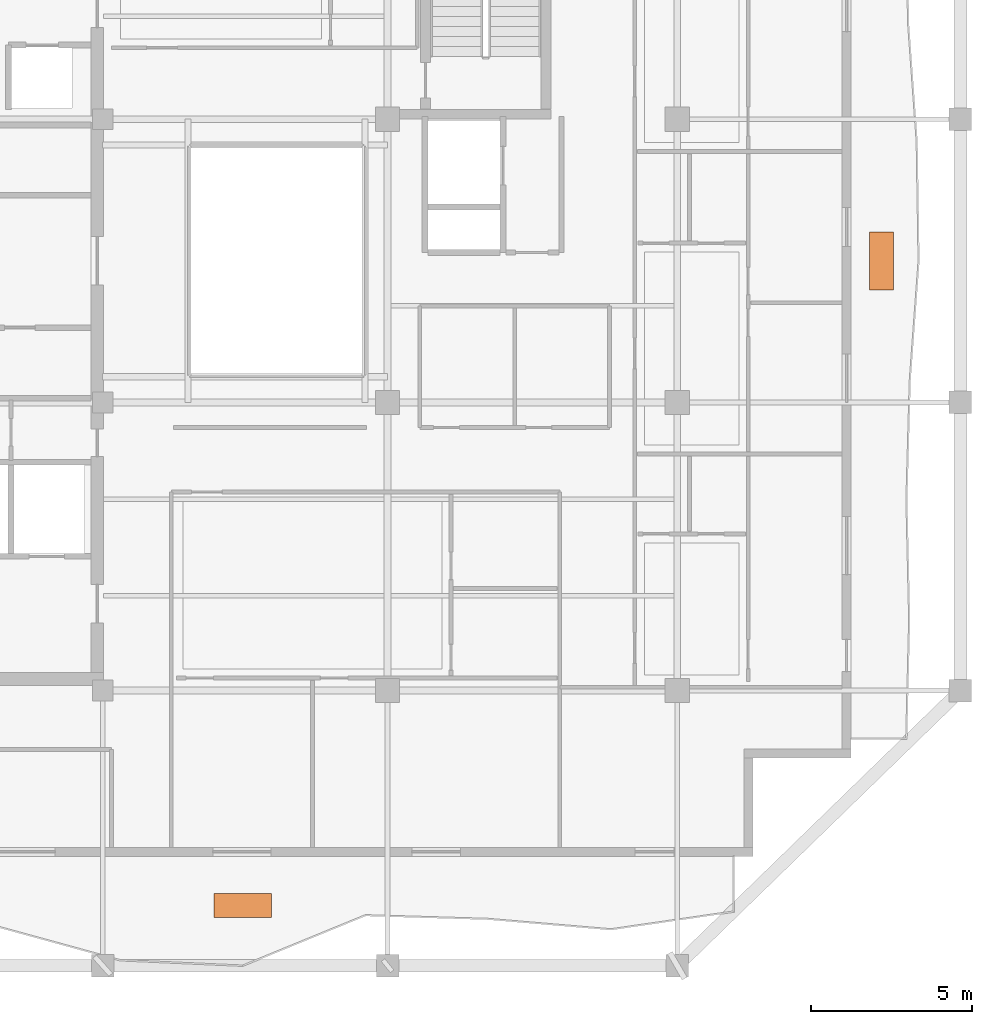
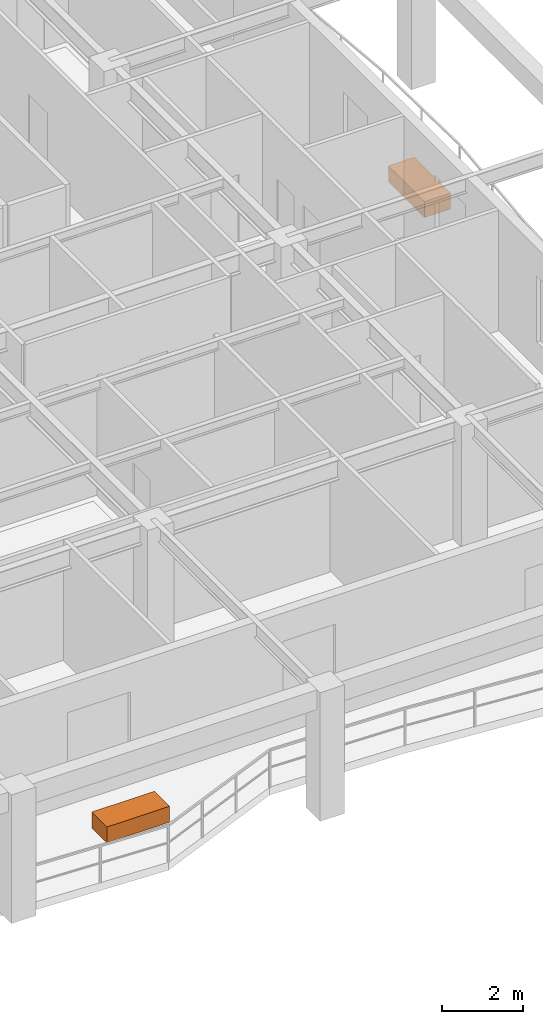
# One storey, part 10 of 10: 2 proxies.
"""IFC4 building model written with IfcOpenShell, lengths in metres."""

import ifcopenshell
import ifcopenshell.guid

model = None  # the IFC model being written
_history = None  # IfcOwnerHistory: only IFC2X3 demands one
_inside = {}  # id of a spatial element -> (the spatial element, [elements in it])
_under = {}  # id of a project, library or spatial element -> (it, [spatial elements below it])
_declared = {}  # id of a project -> (the project, [libraries it declares])
_typed = {}  # id of a type object -> (the type object, [elements of that type])
_made_of = {}  # id of a material, layer set ... -> (it, [elements and type objects made of it])


def new_model(schema):
    """Start an empty IFC model of exactly this schema.

    Asked for "IFC4X3", IfcOpenShell would pick the latest addendum, in which some entities
    have other attributes; the version numbers below select the first issue.
    IFC2X3 requires an IfcOwnerHistory on every rooted entity: one is made here for all.
    """
    global model, _history
    if schema == "IFC4X3":
        model = ifcopenshell.file(schema_version=(4, 3, 0, 0))
    else:
        model = ifcopenshell.file(schema=schema)
    _inside.clear()
    _under.clear()
    _declared.clear()
    _typed.clear()
    _made_of.clear()
    _history = None
    if model.schema == "IFC2X3":
        org = make("IfcOrganization", Name="unknown")
        user = make(
            "IfcPersonAndOrganization",
            ThePerson=make("IfcPerson", FamilyName="unknown"),
            TheOrganization=org,
        )
        app = make(
            "IfcApplication",
            ApplicationDeveloper=org,
            Version="unknown",
            ApplicationFullName="unknown",
            ApplicationIdentifier="unknown",
        )
        _history = make(
            "IfcOwnerHistory",
            OwningUser=user,
            OwningApplication=app,
            ChangeAction="ADDED",
            CreationDate=0,
        )
    return model


def make(cls, **values):
    """One entity of the class cls with the attributes given. An attribute that is None is left unset."""
    return model.create_entity(
        cls, **{name: value for name, value in values.items() if value is not None}
    )


def rooted(cls, **values):
    """An entity with a GlobalId (a new one), such as an element, a storey or a relation."""
    return make(cls, GlobalId=ifcopenshell.guid.new(), OwnerHistory=_history, **values)


def si_unit(unit_type, name, prefix=None):
    """IfcSIUnit, for example si_unit("LENGTHUNIT", "METRE", prefix="MILLI")."""
    return make("IfcSIUnit", UnitType=unit_type, Prefix=prefix, Name=name)


def assignment(units):
    """IfcUnitAssignment: the units of a project."""
    return None if units is None else make("IfcUnitAssignment", Units=units)


def point(xyz):
    """IfcCartesianPoint."""
    return None if xyz is None else make("IfcCartesianPoint", Coordinates=xyz)


def direction(xyz):
    """IfcDirection."""
    return None if xyz is None else make("IfcDirection", DirectionRatios=xyz)


def frame(location, z_axis=None, x_axis=None):
    """IfcAxis2Placement3D, a coordinate frame: its origin and axes. An axis left out is left unset."""
    return make(
        "IfcAxis2Placement3D",
        Location=point(location),
        Axis=direction(z_axis),
        RefDirection=direction(x_axis),
    )


def frame_2d(location, x_axis=None):
    """IfcAxis2Placement2D, a coordinate frame in the plane: its origin and x axis."""
    return make(
        "IfcAxis2Placement2D", Location=point(location), RefDirection=direction(x_axis)
    )


def origin():
    """The frame at (0, 0, 0) with its axes left unset."""
    return frame((0.0, 0.0, 0.0))


def origin_2d():
    """The frame at (0, 0) in the plane with its x axis left unset."""
    return frame_2d((0.0, 0.0))


def place(relative_to, where):
    """IfcLocalPlacement: puts the frame where relative to a parent placement (None: the world)."""
    return make(
        "IfcLocalPlacement", PlacementRelTo=relative_to, RelativePlacement=where
    )


def context(
    kind, dimensions, precision=None, world=None, true_north=None, identifier=None
):
    """IfcGeometricRepresentationContext, for example the 3D "Model" context."""
    return make(
        "IfcGeometricRepresentationContext",
        ContextIdentifier=identifier,
        ContextType=kind,
        CoordinateSpaceDimension=dimensions,
        Precision=precision,
        WorldCoordinateSystem=world,
        TrueNorth=true_north,
    )


def subcontext(parent, identifier, kind, view, scale=None):
    """IfcGeometricRepresentationSubContext, for example "Body" below "Model"."""
    return make(
        "IfcGeometricRepresentationSubContext",
        ContextIdentifier=identifier,
        ContextType=kind,
        ParentContext=parent,
        TargetScale=scale,
        TargetView=view,
    )


def project(units=None, contexts=None):
    """IfcProject with its units and contexts."""
    return rooted(
        "IfcProject",
        Name="project",
        RepresentationContexts=contexts,
        UnitsInContext=assignment(units),
    )


def spatial(cls, under=None, at=None, **own):
    """A site, building, storey or space (cls), placed at a placement, below another one or the project."""
    s = rooted(cls, ObjectPlacement=at, **own)
    if under is not None:
        _under.setdefault(under.id(), (under, []))[1].append(s)
    return s


def profile(cls, at=None, kind="AREA", **sizes):
    """A parametric profile (cls). Its sizes go by their IFC names, for example OverallWidth=200.0."""
    return make(cls, ProfileType=kind, Position=at, **sizes)


def rectangle(**sizes):
    """IfcRectangleProfileDef."""
    return profile("IfcRectangleProfileDef", **sizes)


def extrude(swept, where, along, depth):
    """IfcExtrudedAreaSolid: the profile swept, set in the frame where, extruded along a direction by depth."""
    return make(
        "IfcExtrudedAreaSolid",
        SweptArea=swept,
        Position=where,
        ExtrudedDirection=direction(along),
        Depth=depth,
    )


def shape(context_of_items, identifier, shape_type, items):
    """IfcShapeRepresentation: the items that make up one representation, for example the "Body"."""
    return make(
        "IfcShapeRepresentation",
        ContextOfItems=context_of_items,
        RepresentationIdentifier=identifier,
        RepresentationType=shape_type,
        Items=items,
    )


def material(Name=None, Category=None):
    """IfcMaterial."""
    return make("IfcMaterial", Name=Name, Category=Category)


def made_of(thing, what):
    """Note that an element or type object is made of a material, layer set ...; save() writes the relation."""
    if what is not None:
        _made_of.setdefault(what.id(), (what, []))[1].append(thing)
    return thing


def type_object(cls, material=None, **own):
    """A type object (cls), such as IfcWallType, which elements share."""
    return made_of(rooted(cls, **own), material)


def element(
    cls,
    number,
    at=None,
    inside=None,
    cuts=None,
    type_object=None,
    material=None,
    context=None,
    identifier="Body",
    shape_type=None,
    held_by="IfcProductDefinitionShape",
    body=None,
    shapes=None,
    **own,
):
    """One element of the class cls, such as IfcWall. Its Tag is "e" and its number.

    at: its placement. inside: the storey or other place that contains it. cuts: it is an
    opening in that element (IfcRelVoidsElement). A single representation is given by context,
    identifier, shape_type and body (its items); several are given by shapes. held_by: the class
    of the entity that holds the representations. save() writes the other relations.
    """
    e = rooted(cls, Tag="e%d" % number, ObjectPlacement=at, **own)
    if body is not None:
        shapes = [shape(context, identifier, shape_type, body)]
    if shapes is not None:
        e.Representation = make(held_by, Representations=shapes)
    if inside is not None:
        _inside.setdefault(inside.id(), (inside, []))[1].append(e)
    if cuts is not None:
        rooted(
            "IfcRelVoidsElement", RelatingBuildingElement=cuts, RelatedOpeningElement=e
        )
    if type_object is not None:
        _typed.setdefault(type_object.id(), (type_object, []))[1].append(e)
    return made_of(e, material)


def aggregate(whole, parts):
    """IfcRelAggregates: a whole, such as a stair, and the parts it consists of."""
    return rooted("IfcRelAggregates", RelatingObject=whole, RelatedObjects=parts)


def save(model, path):
    """Write the relations noted so far, then the file.

    IfcRelAggregates (storeys below a building ...), IfcRelContainedInSpatialStructure (elements
    in a storey), IfcRelDefinesByType, IfcRelAssociatesMaterial and IfcRelDeclares: one each for
    every whole, place, type object, material and project.
    """
    for whole, parts in _under.values():
        aggregate(whole, parts)
    for where, things in _inside.values():
        rooted(
            "IfcRelContainedInSpatialStructure",
            RelatedElements=things,
            RelatingStructure=where,
        )
    for kind, things in _typed.values():
        rooted("IfcRelDefinesByType", RelatedObjects=things, RelatingType=kind)
    for what, things in _made_of.values():
        rooted("IfcRelAssociatesMaterial", RelatedObjects=things, RelatingMaterial=what)
    for by, libraries in _declared.values():
        rooted("IfcRelDeclares", RelatingContext=by, RelatedDefinitions=libraries)
    model.write(path)


model = new_model("IFC4")

# Units and contexts
model_context = context("Model", 3, precision=1e-05, world=origin(), true_north=direction((0.0, 1.0)))
body_context = subcontext(model_context, "Body", "Model", "MODEL_VIEW")
ifc_project = project(units=[si_unit("LENGTHUNIT", "METRE"), si_unit("AREAUNIT", "SQUARE_METRE"), si_unit("VOLUMEUNIT", "CUBIC_METRE"), si_unit("PLANEANGLEUNIT", "RADIAN"), si_unit("MASSUNIT", "GRAM", prefix="KILO")], contexts=[model_context])

# Site, building, storey
site_placement = place(None, origin())
site = spatial("IfcSite", under=ifc_project, at=site_placement, CompositionType="ELEMENT")
building_placement = place(site_placement, origin())
building = spatial("IfcBuilding", under=site, at=building_placement, Name="Kundavana Baori Tower", CompositionType="ELEMENT")
storey_placement = place(building_placement, frame((0.0, 0.0, 284.300048828125)))
storey = spatial("IfcBuildingStorey", under=building, at=storey_placement, Name="L70", CompositionType="ELEMENT", Elevation=284.300048828125)

# Proxies
ifc_material = material(Name="Red-Buff Dholpur Sandstone Cladding on Concrete C40/50", Category="masonry")
building_element_proxy_type = type_object("IfcBuildingElementProxyType", Name="PRX-PLANTER-1800", PredefinedType="USERDEFINED", material=ifc_material)
for number, where, z_axis, x_axis, name in (
    (1, (29.300048828125, 8.570068359375, 0.0), (0.0, 0.0, 1.0), (1.0, 0.0, 0.0), "L70 Dholpur Stone Structural Tree Planter S"),
    (2, (49.14697265625, 28.60009765625, 0.0), (0.0, 0.0, 1.0), (0.0, 1.0, 0.0), "L70 Dholpur Stone Structural Tree Planter E"),
):
    element("IfcBuildingElementProxy", number, at=place(storey_placement, frame(where, z_axis=z_axis, x_axis=x_axis)), inside=storey, type_object=building_element_proxy_type, Name=name, ObjectType="PLANTER", PredefinedType="USERDEFINED", context=body_context, shape_type="SweptSolid", body=[
        extrude(rectangle(XDim=1.800048828125, YDim=0.75, at=origin_2d()), origin(), (0.0, 0.0, 1.0), 0.47998046875),
    ])

save(model, "model.ifc")
